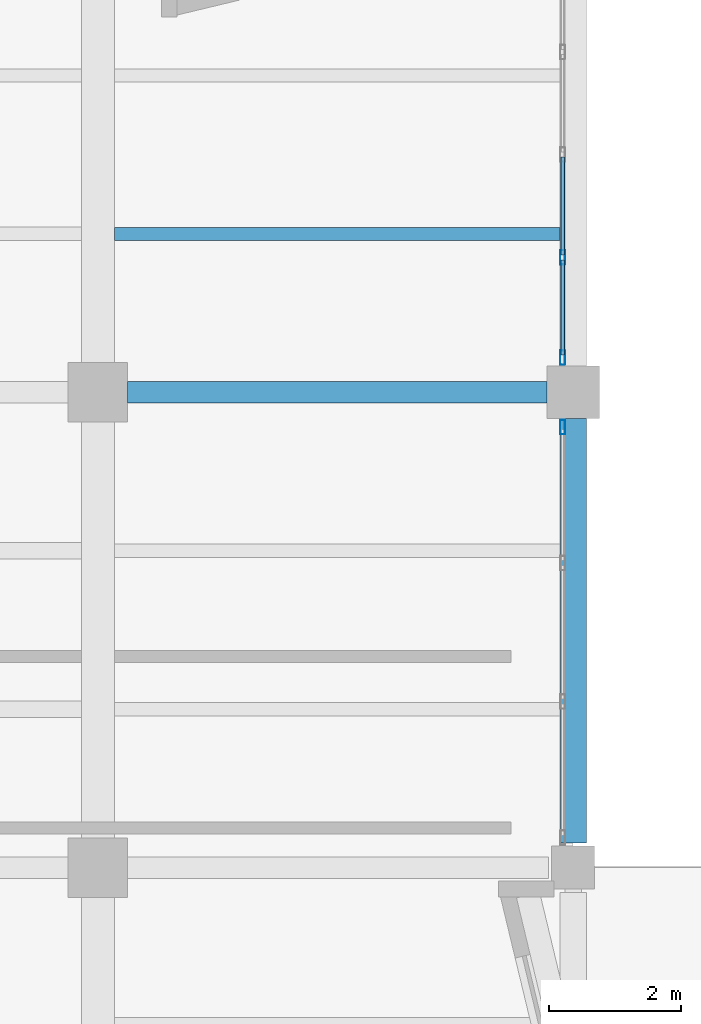
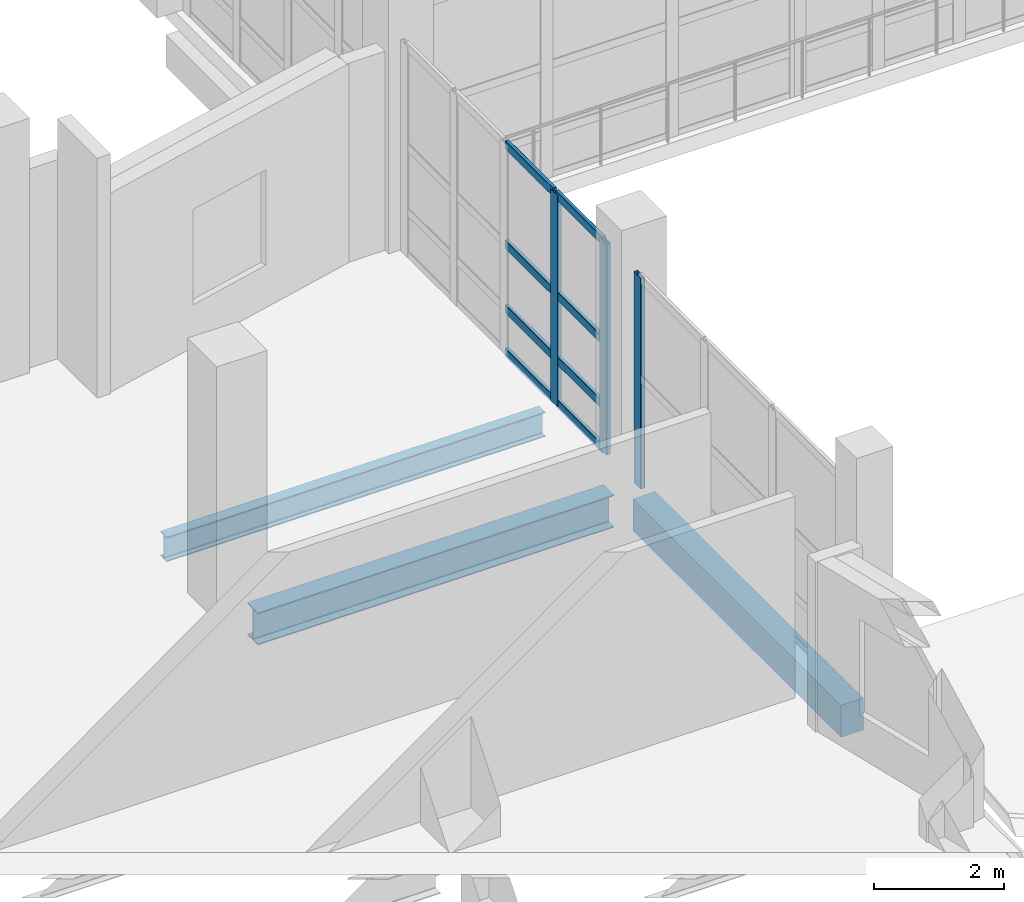
# One storey, part 14 of 127: 11 members, 3 beams, 2 elements without a shape of their own.
"""IFC4 building model written with IfcOpenShell, lengths in metres."""

from ifc_helpers import new_model, si_unit, direction, frame, origin, origin_2d, place, context, subcontext, project, spatial, rectangle, hollow_rectangle, i_section, extrude, material, material_profile, profile_set, type_object, element, aggregate, save


model = new_model("IFC4")

# Units and contexts
model_context = context("Model", 3, precision=1e-05, world=origin(), true_north=direction((0.0, 1.0)))
body_context = subcontext(model_context, "Body", "Model", "MODEL_VIEW")
ifc_project = project(units=[si_unit("LENGTHUNIT", "METRE"), si_unit("AREAUNIT", "SQUARE_METRE"), si_unit("VOLUMEUNIT", "CUBIC_METRE"), si_unit("PLANEANGLEUNIT", "RADIAN"), si_unit("MASSUNIT", "GRAM", prefix="KILO")], contexts=[model_context])

# Site, building, storey
site_placement = place(None, origin())
site = spatial("IfcSite", under=ifc_project, at=site_placement, CompositionType="ELEMENT")
building_placement = place(site_placement, origin())
building = spatial("IfcBuilding", under=site, at=building_placement, Name="Kalmorath City Hall", CompositionType="ELEMENT")
storey_placement = place(building_placement, frame((0.0, 0.0, 5.39990234375)))
storey = spatial("IfcBuildingStorey", under=building, at=storey_placement, Name="L01", CompositionType="ELEMENT", Elevation=5.39990234375)

# Beam
ifc_material_1 = material(Name="Concrete C40/50", Category="concrete")
ifc_material_profile_1 = material_profile(ifc_material_1, rectangle(XDim=0.39990234375, YDim=0.60009765625, at=origin_2d()), Name="RC-BM-400X600")
ifc_profile_set_1 = profile_set([ifc_material_profile_1], Name="Concrete C40/50")
beam_type_1 = type_object("IfcBeamType", Name="Concrete edge beam 400x600", PredefinedType="SPANDREL", material=ifc_profile_set_1)
beam_1_placement = place(storey_placement, frame((36.0, 21.97509765625, -0.6240234375), z_axis=(0.0, 1.0, 0.0), x_axis=(-1.0, 0.0, 0.0)))
element("IfcBeam", 1, at=beam_1_placement, inside=storey, type_object=beam_type_1, Name="L01 girder CB6 Y6/4-5", PredefinedType="SPANDREL", context=body_context, shape_type="SweptSolid", body=[
    extrude(rectangle(XDim=0.39990234375, YDim=0.60009765625, at=origin_2d()), origin(), (0.0, 0.0, 1.0), 6.4248046875),
])

# Curtain wall, members
ifc_material_2 = material(Name="Anodised aluminium and laminated glass", Category="aluminium")
curtain_wall_type_1 = type_object("IfcCurtainWallType", Name="Unitised hurricane curtain wall 6220x3976 M1500", PredefinedType="NOTDEFINED", material=ifc_material_2)
curtain_wall_1_placement = place(storey_placement, origin())
curtain_wall_1 = element("IfcCurtainWall", 2, at=curtain_wall_1_placement, inside=storey, type_object=curtain_wall_type_1, Name="L01 curtain wall CW-62X40M15 #80", PredefinedType="NOTDEFINED")
ifc_material_3 = material(Name="Anodised aluminium framing", Category="aluminium")
ifc_material_profile_2 = material_profile(ifc_material_3, hollow_rectangle(XDim=0.074951171875, YDim=0.219970703125, WallThickness=0.00390625, InnerFilletRadius=0.00390625, OuterFilletRadius=0.008056640625, at=origin_2d()), Name="ALU-MUL-220X75X4")
ifc_profile_set_2 = profile_set([ifc_material_profile_2], Name="Anodised aluminium framing")
member_type_1 = type_object("IfcMemberType", Name="Curtain-wall primary mullion 220x75", PredefinedType="MULLION", material=ifc_profile_set_2)
member_1_placement = place(storey_placement, frame((35.840087890625, 30.844970703125, 0.0), z_axis=(0.0, 0.0, 1.0), x_axis=(1.0, 0.0, 0.0)))
member_1 = element("IfcMember", 3, at=member_1_placement, type_object=member_type_1, Name="CW-62X40M15 mullion 4", PredefinedType="MULLION", context=body_context, shape_type="SweptSolid", body=[
    extrude(hollow_rectangle(XDim=0.074951171875, YDim=0.219970703125, WallThickness=0.00390625, InnerFilletRadius=0.00390625, OuterFilletRadius=0.008056640625, at=origin_2d()), origin(), (0.0, 0.0, 1.0), 3.97607421875),
])
member_2_placement = place(storey_placement, frame((35.840087890625, 29.327392578125, 0.0), z_axis=(0.0, 0.0, 1.0), x_axis=(1.0, 0.0, 0.0)))
member_2 = element("IfcMember", 4, at=member_2_placement, type_object=member_type_1, Name="CW-62X40M15 mullion 5", PredefinedType="MULLION", context=body_context, shape_type="SweptSolid", body=[
    extrude(hollow_rectangle(XDim=0.074951171875, YDim=0.219970703125, WallThickness=0.00390625, InnerFilletRadius=0.00390625, OuterFilletRadius=0.008056640625, at=origin_2d()), origin(), (0.0, 0.0, 1.0), 3.97607421875),
])

# Curtain wall, member
ifc_material_4 = material(Name="Anodised aluminium and laminated glass", Category="aluminium")
curtain_wall_type_2 = type_object("IfcCurtainWallType", Name="Unitised hurricane curtain wall 6295x3976 M2100", PredefinedType="NOTDEFINED", material=ifc_material_4)
curtain_wall_2_placement = place(storey_placement, origin())
curtain_wall_2 = element("IfcCurtainWall", 5, at=curtain_wall_2_placement, inside=storey, type_object=curtain_wall_type_2, Name="L01 curtain wall CW-63X40M21 #81", PredefinedType="NOTDEFINED")
member_3_placement = place(storey_placement, frame((35.840087890625, 28.2724609375, 0.0), z_axis=(0.0, 0.0, 1.0), x_axis=(1.0, 0.0, 0.0)))
member_3 = element("IfcMember", 6, at=member_3_placement, type_object=member_type_1, Name="CW-63X40M21 mullion 1", PredefinedType="MULLION", context=body_context, shape_type="SweptSolid", body=[
    extrude(hollow_rectangle(XDim=0.074951171875, YDim=0.219970703125, WallThickness=0.00390625, InnerFilletRadius=0.00390625, OuterFilletRadius=0.008056640625, at=origin_2d()), origin(), (0.0, 0.0, 1.0), 3.97607421875),
])
aggregate(curtain_wall_2, [member_3])

# Member
ifc_material_5 = material(Name="Anodised aluminium framing", Category="aluminium")
ifc_material_profile_3 = material_profile(ifc_material_5, hollow_rectangle(XDim=0.06494140625, YDim=0.159912109375, WallThickness=0.00390625, InnerFilletRadius=0.00390625, OuterFilletRadius=0.008056640625, at=origin_2d()), Name="ALU-TRN-160X65X4")
ifc_profile_set_3 = profile_set([ifc_material_profile_3], Name="Anodised aluminium framing")
member_type_2 = type_object("IfcMemberType", Name="Curtain-wall primary transom 160x65", PredefinedType="USERDEFINED", material=ifc_profile_set_3)
member_4_placement = place(storey_placement, frame((35.840087890625, 32.362548828125, 0.03271484375), z_axis=(0.0, -1.0, 0.0), x_axis=(1.0, 0.0, 0.0)))
member_4 = element("IfcMember", 7, at=member_4_placement, type_object=member_type_2, Name="CW-62X40M15 transom 3.1", ObjectType="TRANSOM", PredefinedType="USERDEFINED", context=body_context, shape_type="SweptSolid", body=[
    extrude(hollow_rectangle(XDim=0.06494140625, YDim=0.159912109375, WallThickness=0.00390625, InnerFilletRadius=0.00390625, OuterFilletRadius=0.008056640625, at=origin_2d()), origin(), (0.0, 0.0, 1.0), 1.47998046875),
])

member_5_placement = place(storey_placement, frame((35.840087890625, 32.362548828125, 0.85009765625), z_axis=(0.0, -1.0, 0.0), x_axis=(1.0, 0.0, 0.0)))
member_5 = element("IfcMember", 8, at=member_5_placement, type_object=member_type_2, Name="CW-62X40M15 transom 3.2", ObjectType="TRANSOM", PredefinedType="USERDEFINED", context=body_context, shape_type="SweptSolid", body=[
    extrude(hollow_rectangle(XDim=0.06494140625, YDim=0.159912109375, WallThickness=0.00390625, InnerFilletRadius=0.00390625, OuterFilletRadius=0.008056640625, at=origin_2d()), origin(), (0.0, 0.0, 1.0), 1.47998046875),
])

member_6_placement = place(storey_placement, frame((35.840087890625, 32.362548828125, 2.068115234375), z_axis=(0.0, -1.0, 0.0), x_axis=(1.0, 0.0, 0.0)))
member_6 = element("IfcMember", 9, at=member_6_placement, type_object=member_type_2, Name="CW-62X40M15 transom 3.3", ObjectType="TRANSOM", PredefinedType="USERDEFINED", context=body_context, shape_type="SweptSolid", body=[
    extrude(hollow_rectangle(XDim=0.06494140625, YDim=0.159912109375, WallThickness=0.00390625, InnerFilletRadius=0.00390625, OuterFilletRadius=0.008056640625, at=origin_2d()), origin(), (0.0, 0.0, 1.0), 1.47998046875),
])

member_7_placement = place(storey_placement, frame((35.840087890625, 32.362548828125, 3.943603515625), z_axis=(0.0, -1.0, 0.0), x_axis=(1.0, 0.0, 0.0)))
member_7 = element("IfcMember", 10, at=member_7_placement, type_object=member_type_2, Name="CW-62X40M15 transom 3.4", ObjectType="TRANSOM", PredefinedType="USERDEFINED", context=body_context, shape_type="SweptSolid", body=[
    extrude(hollow_rectangle(XDim=0.06494140625, YDim=0.159912109375, WallThickness=0.00390625, InnerFilletRadius=0.00390625, OuterFilletRadius=0.008056640625, at=origin_2d()), origin(), (0.0, 0.0, 1.0), 1.47998046875),
])

member_8_placement = place(storey_placement, frame((35.840087890625, 30.8076171875, 0.03271484375), z_axis=(0.0, -1.0, 0.0), x_axis=(1.0, 0.0, 0.0)))
member_8 = element("IfcMember", 11, at=member_8_placement, type_object=member_type_2, Name="CW-62X40M15 transom 4.1", ObjectType="TRANSOM", PredefinedType="USERDEFINED", context=body_context, shape_type="SweptSolid", body=[
    extrude(hollow_rectangle(XDim=0.06494140625, YDim=0.159912109375, WallThickness=0.00390625, InnerFilletRadius=0.00390625, OuterFilletRadius=0.008056640625, at=origin_2d()), origin(), (0.0, 0.0, 1.0), 1.442626953125),
])

member_9_placement = place(storey_placement, frame((35.840087890625, 30.8076171875, 0.85009765625), z_axis=(0.0, -1.0, 0.0), x_axis=(1.0, 0.0, 0.0)))
member_9 = element("IfcMember", 12, at=member_9_placement, type_object=member_type_2, Name="CW-62X40M15 transom 4.2", ObjectType="TRANSOM", PredefinedType="USERDEFINED", context=body_context, shape_type="SweptSolid", body=[
    extrude(hollow_rectangle(XDim=0.06494140625, YDim=0.159912109375, WallThickness=0.00390625, InnerFilletRadius=0.00390625, OuterFilletRadius=0.008056640625, at=origin_2d()), origin(), (0.0, 0.0, 1.0), 1.442626953125),
])

member_10_placement = place(storey_placement, frame((35.840087890625, 30.8076171875, 2.068115234375), z_axis=(0.0, -1.0, 0.0), x_axis=(1.0, 0.0, 0.0)))
member_10 = element("IfcMember", 13, at=member_10_placement, type_object=member_type_2, Name="CW-62X40M15 transom 4.3", ObjectType="TRANSOM", PredefinedType="USERDEFINED", context=body_context, shape_type="SweptSolid", body=[
    extrude(hollow_rectangle(XDim=0.06494140625, YDim=0.159912109375, WallThickness=0.00390625, InnerFilletRadius=0.00390625, OuterFilletRadius=0.008056640625, at=origin_2d()), origin(), (0.0, 0.0, 1.0), 1.442626953125),
])

member_11_placement = place(storey_placement, frame((35.840087890625, 30.8076171875, 3.943603515625), z_axis=(0.0, -1.0, 0.0), x_axis=(1.0, 0.0, 0.0)))
member_11 = element("IfcMember", 14, at=member_11_placement, type_object=member_type_2, Name="CW-62X40M15 transom 4.4", ObjectType="TRANSOM", PredefinedType="USERDEFINED", context=body_context, shape_type="SweptSolid", body=[
    extrude(hollow_rectangle(XDim=0.06494140625, YDim=0.159912109375, WallThickness=0.00390625, InnerFilletRadius=0.00390625, OuterFilletRadius=0.008056640625, at=origin_2d()), origin(), (0.0, 0.0, 1.0), 1.442626953125),
])

aggregate(curtain_wall_1, [member_1, member_2, member_4, member_5, member_6, member_7, member_8, member_9, member_10, member_11])

# Beams
ifc_material_6 = material(Name="Steel ASTM A992 Grade 50", Category="steel")
ifc_material_profile_4 = material_profile(ifc_material_6, i_section(OverallWidth=0.193115234375, OverallDepth=0.466064453125, WebThickness=0.011474609375, FlangeThickness=0.01904296875, FilletRadius=0.013916015625, at=origin_2d()), Name="W18X65")
ifc_profile_set_4 = profile_set([ifc_material_profile_4], Name="Steel ASTM A992 Grade 50")
beam_type_2 = type_object("IfcBeamType", Name="Steel composite joist W18X65", PredefinedType="JOIST", material=ifc_profile_set_4)
beam_2_placement = place(storey_placement, frame((29.050048828125, 31.199951171875, -0.556884765625), z_axis=(1.0, 0.0, 0.0), x_axis=(0.0, 1.0, 0.0)))
element("IfcBeam", 15, at=beam_2_placement, inside=storey, type_object=beam_type_2, Name="L01 joist SJ1 5.5.1", PredefinedType="JOIST", context=body_context, shape_type="SweptSolid", body=[
    extrude(i_section(OverallWidth=0.193115234375, OverallDepth=0.466064453125, WebThickness=0.011474609375, FlangeThickness=0.01904296875, FilletRadius=0.013916015625, at=origin_2d()), origin(), (0.0, 0.0, 1.0), 6.75),
])
ifc_material_7 = material(Name="Steel ASTM A992 Grade 50", Category="steel")
ifc_material_profile_5 = material_profile(ifc_material_7, i_section(OverallWidth=0.323974609375, OverallDepth=0.611083984375, WebThickness=0.0126953125, FlangeThickness=0.01904296875, FilletRadius=0.01611328125, at=origin_2d()), Name="W24X104")
ifc_profile_set_5 = profile_set([ifc_material_profile_5], Name="Steel ASTM A992 Grade 50")
beam_type_3 = type_object("IfcBeamType", Name="Steel floor girder W24X104", PredefinedType="BEAM", material=ifc_profile_set_5)
beam_3_placement = place(storey_placement, frame((29.25, 28.800048828125, -0.62939453125), z_axis=(1.0, 0.0, 0.0), x_axis=(0.0, 1.0, 0.0)))
element("IfcBeam", 16, at=beam_3_placement, inside=storey, type_object=beam_type_3, Name="L01 girder SG7 X5-6/5", PredefinedType="BEAM", context=body_context, shape_type="SweptSolid", body=[
    extrude(i_section(OverallWidth=0.323974609375, OverallDepth=0.611083984375, WebThickness=0.0126953125, FlangeThickness=0.01904296875, FilletRadius=0.01611328125, at=origin_2d()), origin(), (0.0, 0.0, 1.0), 6.35009765625),
])

save(model, "model.ifc")
